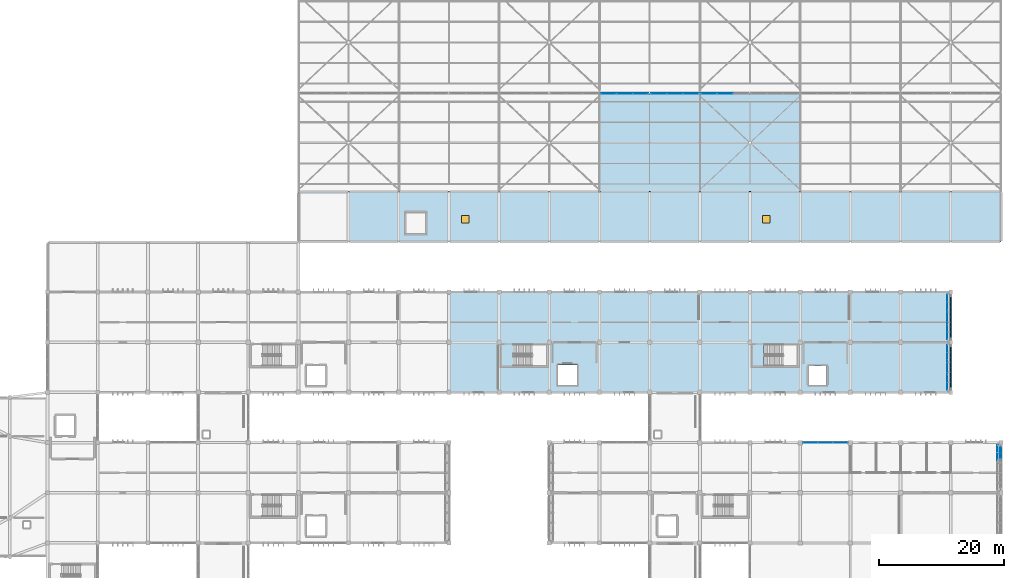
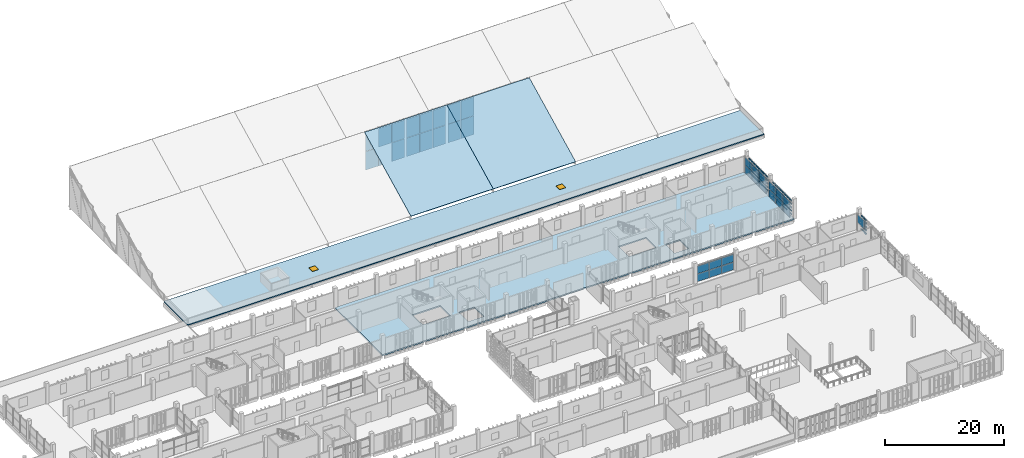
# One storey, part 97 of 137: 80 plates, 4 slabs, 2 doors, 2 openings, 7 elements without a shape of their own.
"""IFC4 building model written with IfcOpenShell, lengths in metres."""

from ifc_helpers import new_model, si_unit, direction, frame, origin, origin_2d, place, context, subcontext, project, spatial, polyline, rectangle, outline, extrude, material, layer, layer_set, type_object, element, fill, aggregate, save


model = new_model("IFC4")

# Units and contexts
model_context = context("Model", 3, precision=1e-05, world=origin(), true_north=direction((0.0, 1.0)))
body_context = subcontext(model_context, "Body", "Model", "MODEL_VIEW")
ifc_project = project(units=[si_unit("LENGTHUNIT", "METRE"), si_unit("AREAUNIT", "SQUARE_METRE"), si_unit("VOLUMEUNIT", "CUBIC_METRE"), si_unit("PLANEANGLEUNIT", "RADIAN"), si_unit("MASSUNIT", "GRAM", prefix="KILO")], contexts=[model_context])

# Site, building, storey
site_placement = place(None, origin())
site = spatial("IfcSite", under=ifc_project, at=site_placement, CompositionType="ELEMENT")
building_placement = place(site_placement, origin())
building = spatial("IfcBuilding", under=site, at=building_placement, Name="Jelvoka-Kovrelna Polytechnic", CompositionType="ELEMENT")
storey_placement = place(building_placement, frame((0.0, 0.0, 9.60009765625)))
storey = spatial("IfcBuildingStorey", under=building, at=storey_placement, Name="L03", CompositionType="ELEMENT", Elevation=9.60009765625)

# Curtain wall, plates
ifc_material_1 = material(Name="Anodised aluminium 6063-T6", Category="aluminium")
ifc_layer_1 = layer(ifc_material_1, 0.159912109375)
ifc_layer_set_1 = layer_set([ifc_layer_1], Name="Anodised aluminium 6063-T6")
curtain_wall_type_1 = type_object("IfcCurtainWallType", Name="CW_Recessed_A", PredefinedType="NOTDEFINED", material=ifc_layer_set_1)
curtain_wall_1_placement = place(storey_placement, origin())
curtain_wall_1 = element("IfcCurtainWall", 1, at=curtain_wall_1_placement, inside=storey, type_object=curtain_wall_type_1, Name="L03 glazed curtain wall 057", PredefinedType="NOTDEFINED")
ifc_material_2 = material(Name="Solar-control double glazing", Category="glass")
ifc_layer_2 = layer(ifc_material_2, 0.028076171875)
ifc_layer_set_2 = layer_set([ifc_layer_2], Name="Solar-control double glazing")
plate_type_1 = type_object("IfcPlateType", Name="Panel_GP-01", PredefinedType="CURTAIN_PANEL", material=ifc_layer_set_2)
plate_1_placement = place(storey_placement, frame((169.614990234375, 48.0, 0.052001953125), z_axis=(0.0, 0.0, 1.0), x_axis=(1.0, 0.0, 0.0)))
plate_1 = element("IfcPlate", 2, at=plate_1_placement, type_object=plate_type_1, Name="CW-01 panel 1.1", PredefinedType="CURTAIN_PANEL", context=body_context, shape_type="SweptSolid", body=[
    extrude(rectangle(XDim=2.326171875, YDim=0.028076171875, at=origin_2d()), origin(), (0.0, 0.0, 1.0), 1.588623046875),
])
plate_2_placement = place(storey_placement, frame((169.614990234375, 48.0, 1.684326171875), z_axis=(0.0, 0.0, 1.0), x_axis=(1.0, 0.0, 0.0)))
plate_2 = element("IfcPlate", 3, at=plate_2_placement, type_object=plate_type_1, Name="CW-01 panel 1.2", PredefinedType="CURTAIN_PANEL", context=body_context, shape_type="SweptSolid", body=[
    extrude(rectangle(XDim=2.326171875, YDim=0.028076171875, at=origin_2d()), origin(), (0.0, 0.0, 1.0), 1.588623046875),
])
plate_3_placement = place(storey_placement, frame((172.0, 48.0, 0.052001953125), z_axis=(0.0, 0.0, 1.0), x_axis=(1.0, 0.0, 0.0)))
plate_3 = element("IfcPlate", 4, at=plate_3_placement, type_object=plate_type_1, Name="CW-01 panel 2.1", PredefinedType="CURTAIN_PANEL", context=body_context, shape_type="SweptSolid", body=[
    extrude(rectangle(XDim=2.356201171875, YDim=0.028076171875, at=origin_2d()), origin(), (0.0, 0.0, 1.0), 1.588623046875),
])
plate_4_placement = place(storey_placement, frame((172.0, 48.0, 1.684326171875), z_axis=(0.0, 0.0, 1.0), x_axis=(1.0, 0.0, 0.0)))
plate_4 = element("IfcPlate", 5, at=plate_4_placement, type_object=plate_type_1, Name="CW-01 panel 2.2", PredefinedType="CURTAIN_PANEL", context=body_context, shape_type="SweptSolid", body=[
    extrude(rectangle(XDim=2.356201171875, YDim=0.028076171875, at=origin_2d()), origin(), (0.0, 0.0, 1.0), 1.588623046875),
])
plate_5_placement = place(storey_placement, frame((174.385009765625, 48.0, 0.052001953125), z_axis=(0.0, 0.0, 1.0), x_axis=(1.0, 0.0, 0.0)))
plate_5 = element("IfcPlate", 6, at=plate_5_placement, type_object=plate_type_1, Name="CW-01 panel 3.1", PredefinedType="CURTAIN_PANEL", context=body_context, shape_type="SweptSolid", body=[
    extrude(rectangle(XDim=2.326171875, YDim=0.028076171875, at=origin_2d()), origin(), (0.0, 0.0, 1.0), 1.588623046875),
])
plate_6_placement = place(storey_placement, frame((174.385009765625, 48.0, 1.684326171875), z_axis=(0.0, 0.0, 1.0), x_axis=(1.0, 0.0, 0.0)))
plate_6 = element("IfcPlate", 7, at=plate_6_placement, type_object=plate_type_1, Name="CW-01 panel 3.2", PredefinedType="CURTAIN_PANEL", context=body_context, shape_type="SweptSolid", body=[
    extrude(rectangle(XDim=2.326171875, YDim=0.028076171875, at=origin_2d()), origin(), (0.0, 0.0, 1.0), 1.588623046875),
])
aggregate(curtain_wall_1, [plate_1, plate_2, plate_3, plate_4, plate_5, plate_6])

# Curtain wall, plate
curtain_wall_2_placement = place(storey_placement, origin())
curtain_wall_2 = element("IfcCurtainWall", 8, at=curtain_wall_2_placement, inside=storey, type_object=curtain_wall_type_1, Name="L03 glazed curtain wall 061", PredefinedType="NOTDEFINED")
plate_7_placement = place(storey_placement, frame((199.43994140625, 46.385009765625, 1.69677734375), z_axis=(0.0, 0.0, 1.0), x_axis=(0.0, -1.0, 0.0)))
plate_7 = element("IfcPlate", 9, at=plate_7_placement, type_object=plate_type_1, Name="CW-01 panel 1.2", PredefinedType="CURTAIN_PANEL", context=body_context, shape_type="SweptSolid", body=[
    extrude(rectangle(XDim=2.326171875, YDim=0.028076171875, at=origin_2d()), origin(), (0.0, 0.0, 1.0), 1.60107421875),
])
aggregate(curtain_wall_2, [plate_7])

# Curtain wall, plates
ifc_material_3 = material(Name="Anodised aluminium 6063-T6", Category="aluminium")
ifc_layer_3 = layer(ifc_material_3, 0.179931640625)
ifc_layer_set_3 = layer_set([ifc_layer_3], Name="Anodised aluminium 6063-T6")
curtain_wall_type_2 = type_object("IfcCurtainWallType", Name="CW_Recessed_B", PredefinedType="NOTDEFINED", material=ifc_layer_set_3)
curtain_wall_3_placement = place(storey_placement, origin())
curtain_wall_3 = element("IfcCurtainWall", 10, at=curtain_wall_3_placement, inside=storey, type_object=curtain_wall_type_2, Name="L03 glazed curtain wall 085", PredefinedType="NOTDEFINED")
ifc_material_4 = material(Name="Solar-control double glazing", Category="glass")
ifc_layer_4 = layer(ifc_material_4, 0.031982421875)
ifc_layer_set_4 = layer_set([ifc_layer_4], Name="Solar-control double glazing")
plate_type_2 = type_object("IfcPlateType", Name="Panel_GP-02", PredefinedType="CURTAIN_PANEL", material=ifc_layer_set_4)
plate_8_placement = place(storey_placement, frame((191.43994140625, 62.3837890625, 0.056884765625), z_axis=(0.0, 0.0, 1.0), x_axis=(0.0, -1.0, 0.0)))
plate_8 = element("IfcPlate", 11, at=plate_8_placement, type_object=plate_type_2, Name="CW-02 panel 1.1", PredefinedType="CURTAIN_PANEL", context=body_context, shape_type="SweptSolid", body=[
    extrude(rectangle(XDim=2.318603515625, YDim=0.031982421875, at=origin_2d()), origin(), (0.0, 0.0, 1.0), 1.593505859375),
])
plate_9_placement = place(storey_placement, frame((191.43994140625, 62.3837890625, 1.699462890625), z_axis=(0.0, 0.0, 1.0), x_axis=(0.0, -1.0, 0.0)))
plate_9 = element("IfcPlate", 12, at=plate_9_placement, type_object=plate_type_2, Name="CW-02 panel 1.2", PredefinedType="CURTAIN_PANEL", context=body_context, shape_type="SweptSolid", body=[
    extrude(rectangle(XDim=2.318603515625, YDim=0.031982421875, at=origin_2d()), origin(), (0.0, 0.0, 1.0), 1.593505859375),
])
plate_10_placement = place(storey_placement, frame((191.43994140625, 60.0, 0.056884765625), z_axis=(0.0, 0.0, 1.0), x_axis=(0.0, -1.0, 0.0)))
plate_10 = element("IfcPlate", 13, at=plate_10_placement, type_object=plate_type_2, Name="CW-02 panel 2.1", PredefinedType="CURTAIN_PANEL", context=body_context, shape_type="SweptSolid", body=[
    extrude(rectangle(XDim=2.35107421875, YDim=0.031982421875, at=origin_2d()), origin(), (0.0, 0.0, 1.0), 1.593505859375),
])
plate_11_placement = place(storey_placement, frame((191.43994140625, 60.0, 1.699462890625), z_axis=(0.0, 0.0, 1.0), x_axis=(0.0, -1.0, 0.0)))
plate_11 = element("IfcPlate", 14, at=plate_11_placement, type_object=plate_type_2, Name="CW-02 panel 2.2", PredefinedType="CURTAIN_PANEL", context=body_context, shape_type="SweptSolid", body=[
    extrude(rectangle(XDim=2.35107421875, YDim=0.031982421875, at=origin_2d()), origin(), (0.0, 0.0, 1.0), 1.593505859375),
])
plate_12_placement = place(storey_placement, frame((191.43994140625, 57.6162109375, 0.056884765625), z_axis=(0.0, 0.0, 1.0), x_axis=(0.0, -1.0, 0.0)))
plate_12 = element("IfcPlate", 15, at=plate_12_placement, type_object=plate_type_2, Name="CW-02 panel 3.1", PredefinedType="CURTAIN_PANEL", context=body_context, shape_type="SweptSolid", body=[
    extrude(rectangle(XDim=2.318603515625, YDim=0.031982421875, at=origin_2d()), origin(), (0.0, 0.0, 1.0), 1.593505859375),
])
plate_13_placement = place(storey_placement, frame((191.43994140625, 57.6162109375, 1.699462890625), z_axis=(0.0, 0.0, 1.0), x_axis=(0.0, -1.0, 0.0)))
plate_13 = element("IfcPlate", 16, at=plate_13_placement, type_object=plate_type_2, Name="CW-02 panel 3.2", PredefinedType="CURTAIN_PANEL", context=body_context, shape_type="SweptSolid", body=[
    extrude(rectangle(XDim=2.318603515625, YDim=0.031982421875, at=origin_2d()), origin(), (0.0, 0.0, 1.0), 1.593505859375),
])
aggregate(curtain_wall_3, [plate_8, plate_9, plate_10, plate_11, plate_12, plate_13])

curtain_wall_4_placement = place(storey_placement, origin())
curtain_wall_4 = element("IfcCurtainWall", 17, at=curtain_wall_4_placement, inside=storey, type_object=curtain_wall_type_2, Name="L03 glazed curtain wall 086", PredefinedType="NOTDEFINED")
plate_14_placement = place(storey_placement, frame((191.43994140625, 70.3837890625, 0.056884765625), z_axis=(0.0, 0.0, 1.0), x_axis=(0.0, -1.0, 0.0)))
plate_14 = element("IfcPlate", 18, at=plate_14_placement, type_object=plate_type_2, Name="CW-02 panel 1.1", PredefinedType="CURTAIN_PANEL", context=body_context, shape_type="SweptSolid", body=[
    extrude(rectangle(XDim=2.318603515625, YDim=0.031982421875, at=origin_2d()), origin(), (0.0, 0.0, 1.0), 1.593505859375),
])
plate_15_placement = place(storey_placement, frame((191.43994140625, 70.3837890625, 1.699462890625), z_axis=(0.0, 0.0, 1.0), x_axis=(0.0, -1.0, 0.0)))
plate_15 = element("IfcPlate", 19, at=plate_15_placement, type_object=plate_type_2, Name="CW-02 panel 1.2", PredefinedType="CURTAIN_PANEL", context=body_context, shape_type="SweptSolid", body=[
    extrude(rectangle(XDim=2.318603515625, YDim=0.031982421875, at=origin_2d()), origin(), (0.0, 0.0, 1.0), 1.593505859375),
])
plate_16_placement = place(storey_placement, frame((191.43994140625, 68.0, 0.056884765625), z_axis=(0.0, 0.0, 1.0), x_axis=(0.0, -1.0, 0.0)))
plate_16 = element("IfcPlate", 20, at=plate_16_placement, type_object=plate_type_2, Name="CW-02 panel 2.1", PredefinedType="CURTAIN_PANEL", context=body_context, shape_type="SweptSolid", body=[
    extrude(rectangle(XDim=2.35107421875, YDim=0.031982421875, at=origin_2d()), origin(), (0.0, 0.0, 1.0), 1.593505859375),
])
plate_17_placement = place(storey_placement, frame((191.43994140625, 68.0, 1.699462890625), z_axis=(0.0, 0.0, 1.0), x_axis=(0.0, -1.0, 0.0)))
plate_17 = element("IfcPlate", 21, at=plate_17_placement, type_object=plate_type_2, Name="CW-02 panel 2.2", PredefinedType="CURTAIN_PANEL", context=body_context, shape_type="SweptSolid", body=[
    extrude(rectangle(XDim=2.35107421875, YDim=0.031982421875, at=origin_2d()), origin(), (0.0, 0.0, 1.0), 1.593505859375),
])
plate_18_placement = place(storey_placement, frame((191.43994140625, 65.6162109375, 0.056884765625), z_axis=(0.0, 0.0, 1.0), x_axis=(0.0, -1.0, 0.0)))
plate_18 = element("IfcPlate", 22, at=plate_18_placement, type_object=plate_type_2, Name="CW-02 panel 3.1", PredefinedType="CURTAIN_PANEL", context=body_context, shape_type="SweptSolid", body=[
    extrude(rectangle(XDim=2.318603515625, YDim=0.031982421875, at=origin_2d()), origin(), (0.0, 0.0, 1.0), 1.593505859375),
])
plate_19_placement = place(storey_placement, frame((191.43994140625, 65.6162109375, 1.699462890625), z_axis=(0.0, 0.0, 1.0), x_axis=(0.0, -1.0, 0.0)))
plate_19 = element("IfcPlate", 23, at=plate_19_placement, type_object=plate_type_2, Name="CW-02 panel 3.2", PredefinedType="CURTAIN_PANEL", context=body_context, shape_type="SweptSolid", body=[
    extrude(rectangle(XDim=2.318603515625, YDim=0.031982421875, at=origin_2d()), origin(), (0.0, 0.0, 1.0), 1.593505859375),
])
aggregate(curtain_wall_4, [plate_14, plate_15, plate_16, plate_17, plate_18, plate_19])

ifc_material_5 = material(Name="Anodised aluminium 6063-T6", Category="aluminium")
ifc_layer_5 = layer(ifc_material_5, 0.199951171875)
ifc_layer_set_5 = layer_set([ifc_layer_5], Name="Anodised aluminium 6063-T6")
curtain_wall_type_3 = type_object("IfcCurtainWallType", Name="CW_Clerestory", PredefinedType="NOTDEFINED", material=ifc_layer_set_5)
curtain_wall_5_placement = place(storey_placement, origin())
curtain_wall_5 = element("IfcCurtainWall", 24, at=curtain_wall_5_placement, inside=storey, type_object=curtain_wall_type_3, Name="L03 glazed curtain wall 195", PredefinedType="NOTDEFINED")
ifc_material_6 = material(Name="Solar-control double glazing", Category="glass")
ifc_layer_6 = layer(ifc_material_6, 0.035888671875)
ifc_layer_set_6 = layer_set([ifc_layer_6], Name="Solar-control double glazing")
plate_type_3 = type_object("IfcPlateType", Name="Panel_GP-03", PredefinedType="CURTAIN_PANEL", material=ifc_layer_set_6)
plate_20_placement = place(storey_placement, frame((137.450927734375, 103.64990234375, 0.511962890625), z_axis=(0.0, 0.0, 1.0), x_axis=(1.0, 0.0, 0.0)))
plate_20 = element("IfcPlate", 25, at=plate_20_placement, type_object=plate_type_3, Name="CW-03 panel 1.1", PredefinedType="CURTAIN_PANEL", context=body_context, shape_type="SweptSolid", body=[
    extrude(rectangle(XDim=2.477783203125, YDim=0.035888671875, at=origin_2d()), origin(), (0.0, 0.0, 1.0), 3.81103515625),
])
plate_21_placement = place(storey_placement, frame((137.450927734375, 103.64990234375, 4.376953125), z_axis=(0.0, 0.0, 1.0), x_axis=(1.0, 0.0, 0.0)))
plate_21 = element("IfcPlate", 26, at=plate_21_placement, type_object=plate_type_3, Name="CW-03 panel 1.2", PredefinedType="CURTAIN_PANEL", context=body_context, shape_type="SweptSolid", body=[
    extrude(rectangle(XDim=2.477783203125, YDim=0.035888671875, at=origin_2d()), origin(), (0.0, 0.0, 1.0), 3.81103515625),
])
plate_22_placement = place(storey_placement, frame((140.0, 103.64990234375, 0.511962890625), z_axis=(0.0, 0.0, 1.0), x_axis=(1.0, 0.0, 0.0)))
plate_22 = element("IfcPlate", 27, at=plate_22_placement, type_object=plate_type_3, Name="CW-03 panel 2.1", PredefinedType="CURTAIN_PANEL", context=body_context, shape_type="SweptSolid", body=[
    extrude(rectangle(XDim=2.5126953125, YDim=0.035888671875, at=origin_2d()), origin(), (0.0, 0.0, 1.0), 3.81103515625),
])
plate_23_placement = place(storey_placement, frame((140.0, 103.64990234375, 4.376953125), z_axis=(0.0, 0.0, 1.0), x_axis=(1.0, 0.0, 0.0)))
plate_23 = element("IfcPlate", 28, at=plate_23_placement, type_object=plate_type_3, Name="CW-03 panel 2.2", PredefinedType="CURTAIN_PANEL", context=body_context, shape_type="SweptSolid", body=[
    extrude(rectangle(XDim=2.5126953125, YDim=0.035888671875, at=origin_2d()), origin(), (0.0, 0.0, 1.0), 3.81103515625),
])
plate_24_placement = place(storey_placement, frame((142.549072265625, 103.64990234375, 0.511962890625), z_axis=(0.0, 0.0, 1.0), x_axis=(1.0, 0.0, 0.0)))
plate_24 = element("IfcPlate", 29, at=plate_24_placement, type_object=plate_type_3, Name="CW-03 panel 3.1", PredefinedType="CURTAIN_PANEL", context=body_context, shape_type="SweptSolid", body=[
    extrude(rectangle(XDim=2.477783203125, YDim=0.035888671875, at=origin_2d()), origin(), (0.0, 0.0, 1.0), 3.81103515625),
])
plate_25_placement = place(storey_placement, frame((142.549072265625, 103.64990234375, 4.376953125), z_axis=(0.0, 0.0, 1.0), x_axis=(1.0, 0.0, 0.0)))
plate_25 = element("IfcPlate", 30, at=plate_25_placement, type_object=plate_type_3, Name="CW-03 panel 3.2", PredefinedType="CURTAIN_PANEL", context=body_context, shape_type="SweptSolid", body=[
    extrude(rectangle(XDim=2.477783203125, YDim=0.035888671875, at=origin_2d()), origin(), (0.0, 0.0, 1.0), 3.81103515625),
])
aggregate(curtain_wall_5, [plate_20, plate_21, plate_22, plate_23, plate_24, plate_25])

curtain_wall_6_placement = place(storey_placement, origin())
curtain_wall_6 = element("IfcCurtainWall", 31, at=curtain_wall_6_placement, inside=storey, type_object=curtain_wall_type_3, Name="L03 glazed curtain wall 197", PredefinedType="NOTDEFINED")
plate_26_placement = place(storey_placement, frame((145.450927734375, 103.64990234375, 0.511962890625), z_axis=(0.0, 0.0, 1.0), x_axis=(1.0, 0.0, 0.0)))
plate_26 = element("IfcPlate", 32, at=plate_26_placement, type_object=plate_type_3, Name="CW-03 panel 1.1", PredefinedType="CURTAIN_PANEL", context=body_context, shape_type="SweptSolid", body=[
    extrude(rectangle(XDim=2.477783203125, YDim=0.035888671875, at=origin_2d()), origin(), (0.0, 0.0, 1.0), 3.81103515625),
])
plate_27_placement = place(storey_placement, frame((145.450927734375, 103.64990234375, 4.376953125), z_axis=(0.0, 0.0, 1.0), x_axis=(1.0, 0.0, 0.0)))
plate_27 = element("IfcPlate", 33, at=plate_27_placement, type_object=plate_type_3, Name="CW-03 panel 1.2", PredefinedType="CURTAIN_PANEL", context=body_context, shape_type="SweptSolid", body=[
    extrude(rectangle(XDim=2.477783203125, YDim=0.035888671875, at=origin_2d()), origin(), (0.0, 0.0, 1.0), 3.81103515625),
])
plate_28_placement = place(storey_placement, frame((148.0, 103.64990234375, 0.511962890625), z_axis=(0.0, 0.0, 1.0), x_axis=(1.0, 0.0, 0.0)))
plate_28 = element("IfcPlate", 34, at=plate_28_placement, type_object=plate_type_3, Name="CW-03 panel 2.1", PredefinedType="CURTAIN_PANEL", context=body_context, shape_type="SweptSolid", body=[
    extrude(rectangle(XDim=2.5126953125, YDim=0.035888671875, at=origin_2d()), origin(), (0.0, 0.0, 1.0), 3.81103515625),
])
plate_29_placement = place(storey_placement, frame((148.0, 103.64990234375, 4.376953125), z_axis=(0.0, 0.0, 1.0), x_axis=(1.0, 0.0, 0.0)))
plate_29 = element("IfcPlate", 35, at=plate_29_placement, type_object=plate_type_3, Name="CW-03 panel 2.2", PredefinedType="CURTAIN_PANEL", context=body_context, shape_type="SweptSolid", body=[
    extrude(rectangle(XDim=2.5126953125, YDim=0.035888671875, at=origin_2d()), origin(), (0.0, 0.0, 1.0), 3.81103515625),
])
plate_30_placement = place(storey_placement, frame((150.549072265625, 103.64990234375, 0.511962890625), z_axis=(0.0, 0.0, 1.0), x_axis=(1.0, 0.0, 0.0)))
plate_30 = element("IfcPlate", 36, at=plate_30_placement, type_object=plate_type_3, Name="CW-03 panel 3.1", PredefinedType="CURTAIN_PANEL", context=body_context, shape_type="SweptSolid", body=[
    extrude(rectangle(XDim=2.477783203125, YDim=0.035888671875, at=origin_2d()), origin(), (0.0, 0.0, 1.0), 3.81103515625),
])
plate_31_placement = place(storey_placement, frame((150.549072265625, 103.64990234375, 4.376953125), z_axis=(0.0, 0.0, 1.0), x_axis=(1.0, 0.0, 0.0)))
plate_31 = element("IfcPlate", 37, at=plate_31_placement, type_object=plate_type_3, Name="CW-03 panel 3.2", PredefinedType="CURTAIN_PANEL", context=body_context, shape_type="SweptSolid", body=[
    extrude(rectangle(XDim=2.477783203125, YDim=0.035888671875, at=origin_2d()), origin(), (0.0, 0.0, 1.0), 3.81103515625),
])
aggregate(curtain_wall_6, [plate_26, plate_27, plate_28, plate_29, plate_30, plate_31])

curtain_wall_7_placement = place(storey_placement, origin())
curtain_wall_7 = element("IfcCurtainWall", 38, at=curtain_wall_7_placement, inside=storey, type_object=curtain_wall_type_3, Name="L03 glazed curtain wall 199", PredefinedType="NOTDEFINED")
plate_32_placement = place(storey_placement, frame((153.450927734375, 103.64990234375, 0.511962890625), z_axis=(0.0, 0.0, 1.0), x_axis=(1.0, 0.0, 0.0)))
plate_32 = element("IfcPlate", 39, at=plate_32_placement, type_object=plate_type_3, Name="CW-03 panel 1.1", PredefinedType="CURTAIN_PANEL", context=body_context, shape_type="SweptSolid", body=[
    extrude(rectangle(XDim=2.477783203125, YDim=0.035888671875, at=origin_2d()), origin(), (0.0, 0.0, 1.0), 3.81103515625),
])
plate_33_placement = place(storey_placement, frame((153.450927734375, 103.64990234375, 4.376953125), z_axis=(0.0, 0.0, 1.0), x_axis=(1.0, 0.0, 0.0)))
plate_33 = element("IfcPlate", 40, at=plate_33_placement, type_object=plate_type_3, Name="CW-03 panel 1.2", PredefinedType="CURTAIN_PANEL", context=body_context, shape_type="SweptSolid", body=[
    extrude(rectangle(XDim=2.477783203125, YDim=0.035888671875, at=origin_2d()), origin(), (0.0, 0.0, 1.0), 3.81103515625),
])
plate_34_placement = place(storey_placement, frame((156.0, 103.64990234375, 0.511962890625), z_axis=(0.0, 0.0, 1.0), x_axis=(1.0, 0.0, 0.0)))
plate_34 = element("IfcPlate", 41, at=plate_34_placement, type_object=plate_type_3, Name="CW-03 panel 2.1", PredefinedType="CURTAIN_PANEL", context=body_context, shape_type="SweptSolid", body=[
    extrude(rectangle(XDim=2.5126953125, YDim=0.035888671875, at=origin_2d()), origin(), (0.0, 0.0, 1.0), 3.81103515625),
])
plate_35_placement = place(storey_placement, frame((156.0, 103.64990234375, 4.376953125), z_axis=(0.0, 0.0, 1.0), x_axis=(1.0, 0.0, 0.0)))
plate_35 = element("IfcPlate", 42, at=plate_35_placement, type_object=plate_type_3, Name="CW-03 panel 2.2", PredefinedType="CURTAIN_PANEL", context=body_context, shape_type="SweptSolid", body=[
    extrude(rectangle(XDim=2.5126953125, YDim=0.035888671875, at=origin_2d()), origin(), (0.0, 0.0, 1.0), 3.81103515625),
])
aggregate(curtain_wall_7, [plate_32, plate_33, plate_34, plate_35])

# Plates
ifc_material_7 = material(Name="Perforated fired terracotta block", Category="masonry")
ifc_layer_7 = layer(ifc_material_7, 0.14990234375)
ifc_layer_set_7 = layer_set([ifc_layer_7], Name="Perforated fired terracotta block")
plate_type_4 = type_object("IfcPlateType", Name="Screen_Terracotta_TP03", PredefinedType="USERDEFINED", material=ifc_layer_set_7)
for number, where, z_axis, x_axis, name in (
    (43, (199.97998046875, 46.39990234375, 0.18994140625), (0.0, 0.0, 1.0), (0.0, 1.0, 0.0), "L03 perforated terracotta lattice band 0656"),
    (44, (199.97998046875, 46.39990234375, 0.88232421875), (0.0, 0.0, 1.0), (0.0, 1.0, 0.0), "L03 perforated terracotta lattice band 0657"),
    (45, (199.97998046875, 46.39990234375, 1.57470703125), (0.0, 0.0, 1.0), (0.0, 1.0, 0.0), "L03 perforated terracotta lattice band 0658"),
    (46, (199.97998046875, 46.39990234375, 2.267578125), (0.0, 0.0, 1.0), (0.0, 1.0, 0.0), "L03 perforated terracotta lattice band 0659"),
    (47, (199.97998046875, 46.39990234375, 2.9599609375), (0.0, 0.0, 1.0), (0.0, 1.0, 0.0), "L03 perforated terracotta lattice band 0660"),
):
    element("IfcPlate", number, at=place(storey_placement, frame(where, z_axis=z_axis, x_axis=x_axis)), inside=storey, type_object=plate_type_4, Name=name, ObjectType="SCREEN PANEL", PredefinedType="USERDEFINED", context=body_context, shape_type="SweptSolid", body=[
        extrude(rectangle(XDim=1.56005859375, YDim=0.14990234375, at=origin_2d()), origin(), (0.0, 0.0, 1.0), 0.260009765625),
    ])
ifc_material_8 = material(Name="Perforated fired terracotta block", Category="masonry")
ifc_layer_8 = layer(ifc_material_8, 0.169921875)
ifc_layer_set_8 = layer_set([ifc_layer_8], Name="Perforated fired terracotta block")
plate_type_5 = type_object("IfcPlateType", Name="Screen_Terracotta_TP04", PredefinedType="USERDEFINED", material=ifc_layer_set_8)
for number, where, z_axis, x_axis, name in (
    (48, (191.97998046875, 57.60009765625, 0.18994140625), (0.0, 0.0, 1.0), (0.0, 1.0, 0.0), "L03 perforated terracotta lattice band 1041"),
    (49, (191.97998046875, 57.60009765625, 0.88232421875), (0.0, 0.0, 1.0), (0.0, 1.0, 0.0), "L03 perforated terracotta lattice band 1042"),
    (50, (191.97998046875, 57.60009765625, 1.57470703125), (0.0, 0.0, 1.0), (0.0, 1.0, 0.0), "L03 perforated terracotta lattice band 1043"),
    (51, (191.97998046875, 57.60009765625, 2.267578125), (0.0, 0.0, 1.0), (0.0, 1.0, 0.0), "L03 perforated terracotta lattice band 1044"),
    (52, (191.97998046875, 57.60009765625, 2.9599609375), (0.0, 0.0, 1.0), (0.0, 1.0, 0.0), "L03 perforated terracotta lattice band 1045"),
    (53, (191.97998046875, 59.199951171875, 0.18994140625), (0.0, 0.0, 1.0), (0.0, 1.0, 0.0), "L03 perforated terracotta lattice band 1046"),
    (54, (191.97998046875, 59.199951171875, 0.88232421875), (0.0, 0.0, 1.0), (0.0, 1.0, 0.0), "L03 perforated terracotta lattice band 1047"),
    (55, (191.97998046875, 59.199951171875, 1.57470703125), (0.0, 0.0, 1.0), (0.0, 1.0, 0.0), "L03 perforated terracotta lattice band 1048"),
    (56, (191.97998046875, 59.199951171875, 2.267578125), (0.0, 0.0, 1.0), (0.0, 1.0, 0.0), "L03 perforated terracotta lattice band 1049"),
    (57, (191.97998046875, 59.199951171875, 2.9599609375), (0.0, 0.0, 1.0), (0.0, 1.0, 0.0), "L03 perforated terracotta lattice band 1050"),
    (58, (191.97998046875, 60.800048828125, 0.18994140625), (0.0, 0.0, 1.0), (0.0, 1.0, 0.0), "L03 perforated terracotta lattice band 1051"),
    (59, (191.97998046875, 60.800048828125, 0.88232421875), (0.0, 0.0, 1.0), (0.0, 1.0, 0.0), "L03 perforated terracotta lattice band 1052"),
    (60, (191.97998046875, 60.800048828125, 1.57470703125), (0.0, 0.0, 1.0), (0.0, 1.0, 0.0), "L03 perforated terracotta lattice band 1053"),
    (61, (191.97998046875, 60.800048828125, 2.267578125), (0.0, 0.0, 1.0), (0.0, 1.0, 0.0), "L03 perforated terracotta lattice band 1054"),
    (62, (191.97998046875, 60.800048828125, 2.9599609375), (0.0, 0.0, 1.0), (0.0, 1.0, 0.0), "L03 perforated terracotta lattice band 1055"),
    (63, (191.97998046875, 62.39990234375, 0.18994140625), (0.0, 0.0, 1.0), (0.0, 1.0, 0.0), "L03 perforated terracotta lattice band 1056"),
    (64, (191.97998046875, 62.39990234375, 0.88232421875), (0.0, 0.0, 1.0), (0.0, 1.0, 0.0), "L03 perforated terracotta lattice band 1057"),
    (65, (191.97998046875, 62.39990234375, 1.57470703125), (0.0, 0.0, 1.0), (0.0, 1.0, 0.0), "L03 perforated terracotta lattice band 1058"),
    (66, (191.97998046875, 62.39990234375, 2.267578125), (0.0, 0.0, 1.0), (0.0, 1.0, 0.0), "L03 perforated terracotta lattice band 1059"),
    (67, (191.97998046875, 62.39990234375, 2.9599609375), (0.0, 0.0, 1.0), (0.0, 1.0, 0.0), "L03 perforated terracotta lattice band 1060"),
    (68, (191.97998046875, 65.60009765625, 0.18994140625), (0.0, 0.0, 1.0), (0.0, 1.0, 0.0), "L03 perforated terracotta lattice band 1061"),
    (69, (191.97998046875, 65.60009765625, 0.88232421875), (0.0, 0.0, 1.0), (0.0, 1.0, 0.0), "L03 perforated terracotta lattice band 1062"),
    (70, (191.97998046875, 65.60009765625, 1.57470703125), (0.0, 0.0, 1.0), (0.0, 1.0, 0.0), "L03 perforated terracotta lattice band 1063"),
    (71, (191.97998046875, 65.60009765625, 2.267578125), (0.0, 0.0, 1.0), (0.0, 1.0, 0.0), "L03 perforated terracotta lattice band 1064"),
    (72, (191.97998046875, 65.60009765625, 2.9599609375), (0.0, 0.0, 1.0), (0.0, 1.0, 0.0), "L03 perforated terracotta lattice band 1065"),
    (73, (191.97998046875, 67.199951171875, 0.18994140625), (0.0, 0.0, 1.0), (0.0, 1.0, 0.0), "L03 perforated terracotta lattice band 1066"),
    (74, (191.97998046875, 67.199951171875, 0.88232421875), (0.0, 0.0, 1.0), (0.0, 1.0, 0.0), "L03 perforated terracotta lattice band 1067"),
    (75, (191.97998046875, 67.199951171875, 1.57470703125), (0.0, 0.0, 1.0), (0.0, 1.0, 0.0), "L03 perforated terracotta lattice band 1068"),
    (76, (191.97998046875, 67.199951171875, 2.267578125), (0.0, 0.0, 1.0), (0.0, 1.0, 0.0), "L03 perforated terracotta lattice band 1069"),
    (77, (191.97998046875, 67.199951171875, 2.9599609375), (0.0, 0.0, 1.0), (0.0, 1.0, 0.0), "L03 perforated terracotta lattice band 1070"),
    (78, (191.97998046875, 68.800048828125, 0.18994140625), (0.0, 0.0, 1.0), (0.0, 1.0, 0.0), "L03 perforated terracotta lattice band 1071"),
    (79, (191.97998046875, 68.800048828125, 0.88232421875), (0.0, 0.0, 1.0), (0.0, 1.0, 0.0), "L03 perforated terracotta lattice band 1072"),
    (80, (191.97998046875, 68.800048828125, 1.57470703125), (0.0, 0.0, 1.0), (0.0, 1.0, 0.0), "L03 perforated terracotta lattice band 1073"),
    (81, (191.97998046875, 68.800048828125, 2.267578125), (0.0, 0.0, 1.0), (0.0, 1.0, 0.0), "L03 perforated terracotta lattice band 1074"),
    (82, (191.97998046875, 68.800048828125, 2.9599609375), (0.0, 0.0, 1.0), (0.0, 1.0, 0.0), "L03 perforated terracotta lattice band 1075"),
    (83, (191.97998046875, 70.39990234375, 0.18994140625), (0.0, 0.0, 1.0), (0.0, 1.0, 0.0), "L03 perforated terracotta lattice band 1076"),
    (84, (191.97998046875, 70.39990234375, 0.88232421875), (0.0, 0.0, 1.0), (0.0, 1.0, 0.0), "L03 perforated terracotta lattice band 1077"),
    (85, (191.97998046875, 70.39990234375, 1.57470703125), (0.0, 0.0, 1.0), (0.0, 1.0, 0.0), "L03 perforated terracotta lattice band 1078"),
    (86, (191.97998046875, 70.39990234375, 2.267578125), (0.0, 0.0, 1.0), (0.0, 1.0, 0.0), "L03 perforated terracotta lattice band 1079"),
    (87, (191.97998046875, 70.39990234375, 2.9599609375), (0.0, 0.0, 1.0), (0.0, 1.0, 0.0), "L03 perforated terracotta lattice band 1080"),
):
    element("IfcPlate", number, at=place(storey_placement, frame(where, z_axis=z_axis, x_axis=x_axis)), inside=storey, type_object=plate_type_5, Name=name, ObjectType="SCREEN PANEL", PredefinedType="USERDEFINED", context=body_context, shape_type="SweptSolid", body=[
        extrude(rectangle(XDim=1.56005859375, YDim=0.169921875, at=origin_2d()), origin(), (0.0, 0.0, 1.0), 0.260009765625),
    ])

# Slab
ifc_material_9 = material(Name="Concrete C35/45", Category="concrete")
ifc_layer_9 = layer(ifc_material_9, 0.264892578125)
ifc_layer_set_9 = layer_set([ifc_layer_9], Name="Concrete C35/45")
slab_type_1 = type_object("IfcSlabType", Name="Slab_Floor_265", PredefinedType="FLOOR", material=ifc_layer_set_9)
slab_1_placement = place(storey_placement, frame((0.0, 0.0, -0.26513671875)))
element("IfcSlab", 88, at=slab_1_placement, inside=storey, type_object=slab_type_1, Name="L03 B3E structural slab", PredefinedType="FLOOR", context=body_context, shape_type="SweptSolid", body=[
    extrude(outline(polyline([(112.0, 56.0), (192.0, 56.0), (192.0, 72.0), (112.0, 72.0), (112.0, 56.0)]), holes=[polyline([(169.39990234375, 57.199951171875), (172.199951171875, 57.199951171875), (172.199951171875, 60.199951171875), (169.39990234375, 60.199951171875), (169.39990234375, 57.199951171875)]), polyline([(129.39990234375, 57.199951171875), (132.39990234375, 57.199951171875), (132.39990234375, 60.39990234375), (129.39990234375, 60.39990234375), (129.39990234375, 57.199951171875)]), polyline([(162.264892578125, 60.199951171875), (167.60009765625, 60.199951171875), (167.60009765625, 63.639892578125), (162.264892578125, 63.639892578125), (162.264892578125, 60.199951171875)]), polyline([(122.264892578125, 60.199951171875), (127.60009765625, 60.199951171875), (127.60009765625, 63.639892578125), (122.264892578125, 63.639892578125), (122.264892578125, 60.199951171875)])]), origin(), (0.0, 0.0, 1.0), 0.26513671875),
])

# Slab, openings, doors
ifc_material_10 = material(Name="Concrete C35/45", Category="concrete")
ifc_layer_10 = layer(ifc_material_10, 0.2099609375)
ifc_layer_set_10 = layer_set([ifc_layer_10], Name="Concrete C35/45")
slab_type_2 = type_object("IfcSlabType", Name="Slab_Roof_Flat_210", PredefinedType="ROOF", material=ifc_layer_set_10)
slab_2_placement = place(storey_placement, frame((0.0, 0.0, -0.210205078125)))
slab_2 = element("IfcSlab", 89, at=slab_2_placement, inside=storey, type_object=slab_type_2, Name="L03 workshop south preparation flat roof", PredefinedType="ROOF", context=body_context, shape_type="SweptSolid", body=[
    extrude(outline(polyline([(88.0, 80.0), (200.0, 80.0), (200.0, 88.0), (88.0, 88.0), (88.0, 80.0)]), holes=[polyline([(114.0, 83.0), (115.199951171875, 83.0), (115.199951171875, 84.199951171875), (114.0, 84.199951171875), (114.0, 83.0)]), polyline([(162.0, 83.0), (163.199951171875, 83.0), (163.199951171875, 84.199951171875), (162.0, 84.199951171875), (162.0, 83.0)])]), origin(), (0.0, 0.0, 1.0), 0.210205078125),
])
opening_1_placement = place(slab_2_placement, frame((114.60009765625, 83.60009765625, 0.0)))
opening_1 = element("IfcOpeningElement", 90, at=opening_1_placement, cuts=slab_2, Name="Opening HT-L03-01", PredefinedType="OPENING", context=body_context, shape_type="SweptSolid", body=[
    extrude(rectangle(XDim=1.199951171875, YDim=1.199951171875, at=origin_2d()), frame((0.0, 0.0, -0.010009765625)), (0.0, 0.0, 1.0), 0.2802734375),
])
opening_2_placement = place(slab_2_placement, frame((162.60009765625, 83.60009765625, 0.0)))
opening_2 = element("IfcOpeningElement", 91, at=opening_2_placement, cuts=slab_2, Name="Opening HT-L03-02", PredefinedType="OPENING", context=body_context, shape_type="SweptSolid", body=[
    extrude(rectangle(XDim=1.199951171875, YDim=1.199951171875, at=origin_2d()), frame((0.0, 0.0, -0.010009765625)), (0.0, 0.0, 1.0), 0.2802734375),
])
ifc_material_11 = material(Name="Powder-coated aluminium and laminated safety glass", Category="aluminium")
door_type = type_object("IfcDoorType", Name="Hatch_Roof_1200x1200", OperationType="NOTDEFINED", PredefinedType="TRAPDOOR", material=ifc_material_11)
door_1_placement = place(opening_1_placement, frame((0.0, 0.0, 0.210205078125)))
door_1 = element("IfcDoor", 92, at=door_1_placement, inside=storey, type_object=door_type, Name="L03 roof access trapdoor HT-L03-01", OperationType="SINGLE_SWING_LEFT", OverallHeight=1.199951171875, OverallWidth=1.199951171875, PredefinedType="TRAPDOOR", context=body_context, shape_type="SweptSolid", body=[
    extrude(rectangle(XDim=1.199951171875, YDim=1.199951171875, at=origin_2d()), origin(), (0.0, 0.0, 1.0), 0.050048828125),
])
fill(opening_1, door_1)
door_2_placement = place(opening_2_placement, frame((0.0, 0.0, 0.210205078125)))
door_2 = element("IfcDoor", 93, at=door_2_placement, inside=storey, type_object=door_type, Name="L03 roof access trapdoor HT-L03-02", OperationType="SINGLE_SWING_LEFT", OverallHeight=1.199951171875, OverallWidth=1.199951171875, PredefinedType="TRAPDOOR", context=body_context, shape_type="SweptSolid", body=[
    extrude(rectangle(XDim=1.199951171875, YDim=1.199951171875, at=origin_2d()), origin(), (0.0, 0.0, 1.0), 0.050048828125),
])
fill(opening_2, door_2)

# Slabs
ifc_material_12 = material(Name="Precast concrete C40/50", Category="concrete")
ifc_layer_11 = layer(ifc_material_12, 0.179931640625)
ifc_layer_set_11 = layer_set([ifc_layer_11], Name="Precast concrete C40/50")
slab_type_3 = type_object("IfcSlabType", Name="Slab_Roof_Sawtooth_180", PredefinedType="ROOF", material=ifc_layer_set_11)
for number, where, z_axis, x_axis, name in (
    (94, (136.0, 88.0, 0.639892578125), (0.0, -0.4472135955, 0.894427191), (1.0, 0.0, 0.0), "V1 sawtooth south roof deck bay 4.1"),
    (95, (152.0, 88.0, 0.639892578125), (0.0, -0.4472135955, 0.894427191), (1.0, 0.0, 0.0), "V1 sawtooth south roof deck bay 5.1"),
):
    element("IfcSlab", number, at=place(storey_placement, frame(where, z_axis=z_axis, x_axis=x_axis)), inside=storey, type_object=slab_type_3, Name=name, PredefinedType="ROOF", context=body_context, shape_type="SweptSolid", body=[
        extrude(outline(polyline([(0.0, 0.0), (16.0, 0.0), (16.0, 17.441439407505076), (0.0, 17.441439407505076), (0.0, 0.0)])), origin(), (0.0, 0.0, -1.0), 0.179931640625),
    ])

save(model, "model.ifc")
